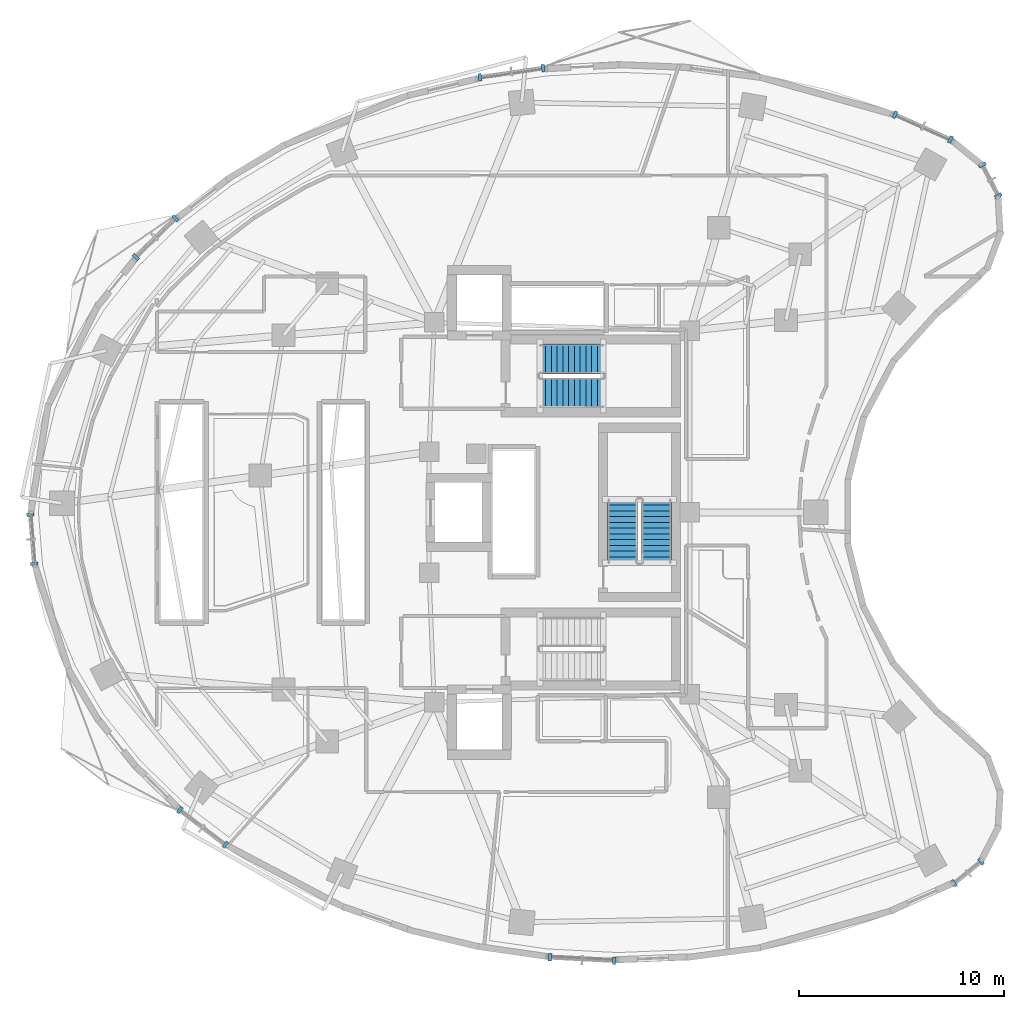
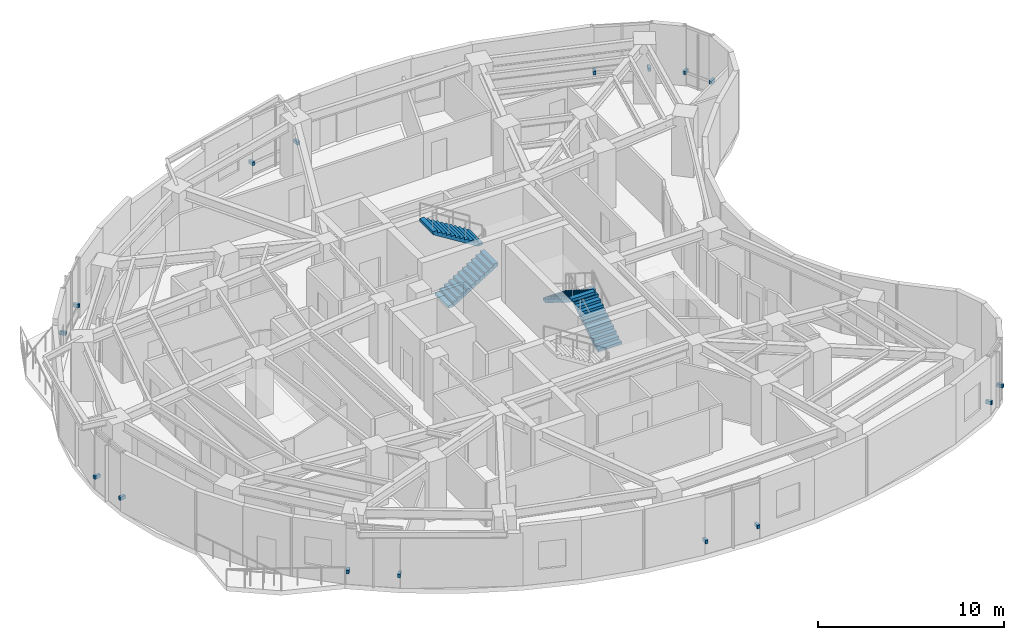
# One storey, part 12 of 15: 16 discrete accessories, 4 stair flights, 2 elements without a shape of their own.
"""IFC4 building model written with IfcOpenShell, lengths in metres."""

from ifc_helpers import new_model, si_unit, direction, frame, origin, origin_2d, place, context, subcontext, project, spatial, polyline, rectangle, outline, extrude, material, type_object, element, aggregate, save


model = new_model("IFC4")

# Units and contexts
model_context = context("Model", 3, precision=1e-05, world=origin(), true_north=direction((0.0, 1.0)))
body_context = subcontext(model_context, "Body", "Model", "MODEL_VIEW")
ifc_project = project(units=[si_unit("LENGTHUNIT", "METRE"), si_unit("AREAUNIT", "SQUARE_METRE"), si_unit("VOLUMEUNIT", "CUBIC_METRE"), si_unit("PLANEANGLEUNIT", "RADIAN"), si_unit("MASSUNIT", "GRAM", prefix="KILO")], contexts=[model_context])

# Site, building, storey
site_placement = place(None, origin())
site = spatial("IfcSite", under=ifc_project, at=site_placement, CompositionType="ELEMENT")
building_placement = place(site_placement, origin())
building = spatial("IfcBuilding", under=site, at=building_placement, Name="Korentha Bioscience Tower", CompositionType="ELEMENT")
storey_placement = place(building_placement, frame((0.0, 0.0, 98.39990234375)))
storey = spatial("IfcBuildingStorey", under=building, at=storey_placement, Name="L22", CompositionType="ELEMENT", Elevation=98.39990234375)

# Stair, stair flights
ifc_material_1 = material(Name="Precast Concrete C50", Category="concrete")
stair_type = type_object("IfcStairType", Name="Core Exit Dog-Leg Stair 1450", PredefinedType="HALF_TURN_STAIR", material=ifc_material_1)
stair_1_placement = place(storey_placement, origin())
stair_1 = element("IfcStair", 1, at=stair_1_placement, inside=storey, type_object=stair_type, Name="L22 Tower North Pressurized Exit Stair ST-1", PredefinedType="HALF_TURN_STAIR")
stair_flight_type = type_object("IfcStairFlightType", Name="Core Exit Dog-Leg Stair 1450 Flight", PredefinedType="STRAIGHT", material=ifc_material_1)
stair_flight_1_placement = place(storey_placement, frame((30.25, 32.824951171875, 0.0), z_axis=(0.0, 0.0, 1.0), x_axis=(1.0, 0.0, 0.0)))
stair_flight_1 = element("IfcStairFlight", 2, at=stair_flight_1_placement, type_object=stair_flight_type, Name="ST-1 flight 1", NumberOfRisers=12, NumberOfTreads=11, PredefinedType="STRAIGHT", RiserHeight=0.175, TreadLength=0.28, context=body_context, shape_type="SweptSolid", body=[
    extrude(outline(polyline([(0.0, 0.0), (0.0, 0.175048828125), (0.280029296875, 0.175048828125), (0.280029296875, 0.35009765625), (0.56005859375, 0.35009765625), (0.56005859375, 0.52490234375), (0.840087890625, 0.52490234375), (0.840087890625, 0.699951171875), (1.1201171875, 0.699951171875), (1.1201171875, 0.875), (1.39990234375, 0.875), (1.39990234375, 1.050048828125), (1.679931640625, 1.050048828125), (1.679931640625, 1.22509765625), (1.9599609375, 1.22509765625), (1.9599609375, 1.39990234375), (2.239990234375, 1.39990234375), (2.239990234375, 1.574951171875), (2.52001953125, 1.574951171875), (2.52001953125, 1.75), (2.800048828125, 1.75), (2.800048828125, 1.925048828125), (3.080078125, 1.925048828125), (3.080078125, 2.10009765625), (3.080078125, 1.736328125), (0.3017578125, 0.0), (0.0, 0.0)])), frame((0.0, 0.72509765625, 0.0), z_axis=(0.0, -1.0, 0.0), x_axis=(1.0, 0.0, 0.0)), (0.0, 0.0, 1.0), 1.449951171875),
])
stair_flight_2_placement = place(storey_placement, frame((33.330078125, 34.47509765625, 2.10009765625), z_axis=(0.0, 0.0, 1.0), x_axis=(-1.0, 0.0, 0.0)))
stair_flight_2 = element("IfcStairFlight", 3, at=stair_flight_2_placement, type_object=stair_flight_type, Name="ST-1 flight 2", NumberOfRisers=12, NumberOfTreads=11, PredefinedType="STRAIGHT", RiserHeight=0.175, TreadLength=0.28, context=body_context, shape_type="SweptSolid", body=[
    extrude(outline(polyline([(0.0, 0.0), (0.0, 0.175048828125), (0.280029296875, 0.175048828125), (0.280029296875, 0.35009765625), (0.56005859375, 0.35009765625), (0.56005859375, 0.52490234375), (0.840087890625, 0.52490234375), (0.840087890625, 0.699951171875), (1.1201171875, 0.699951171875), (1.1201171875, 0.875), (1.39990234375, 0.875), (1.39990234375, 1.050048828125), (1.679931640625, 1.050048828125), (1.679931640625, 1.22509765625), (1.9599609375, 1.22509765625), (1.9599609375, 1.39990234375), (2.239990234375, 1.39990234375), (2.239990234375, 1.574951171875), (2.52001953125, 1.574951171875), (2.52001953125, 1.75), (2.800048828125, 1.75), (2.800048828125, 1.925048828125), (3.080078125, 1.925048828125), (3.080078125, 2.10009765625), (3.080078125, 1.736328125), (0.3017578125, 0.0), (0.0, 0.0)])), frame((0.0, 0.72509765625, 0.0), z_axis=(0.0, -1.0, 0.0), x_axis=(1.0, 0.0, 0.0)), (0.0, 0.0, 1.0), 1.449951171875),
])
aggregate(stair_1, [stair_flight_1, stair_flight_2])

stair_2_placement = place(storey_placement, origin())
stair_2 = element("IfcStair", 4, at=stair_2_placement, inside=storey, type_object=stair_type, Name="L22 Tower Central Pressurized Exit Stair ST-3", PredefinedType="HALF_TURN_STAIR")
stair_flight_3_placement = place(storey_placement, frame((35.925048828125, 24.550048828125, 0.0), z_axis=(0.0, 0.0, 1.0), x_axis=(0.0, 1.0, 0.0)))
stair_flight_3 = element("IfcStairFlight", 5, at=stair_flight_3_placement, type_object=stair_flight_type, Name="ST-3 flight 1", NumberOfRisers=12, NumberOfTreads=11, PredefinedType="STRAIGHT", RiserHeight=0.175, TreadLength=0.28, context=body_context, shape_type="SweptSolid", body=[
    extrude(outline(polyline([(0.0, 0.0), (0.0, 0.175048828125), (0.280029296875, 0.175048828125), (0.280029296875, 0.35009765625), (0.56005859375, 0.35009765625), (0.56005859375, 0.52490234375), (0.840087890625, 0.52490234375), (0.840087890625, 0.699951171875), (1.1201171875, 0.699951171875), (1.1201171875, 0.875), (1.39990234375, 0.875), (1.39990234375, 1.050048828125), (1.679931640625, 1.050048828125), (1.679931640625, 1.22509765625), (1.9599609375, 1.22509765625), (1.9599609375, 1.39990234375), (2.239990234375, 1.39990234375), (2.239990234375, 1.574951171875), (2.52001953125, 1.574951171875), (2.52001953125, 1.75), (2.800048828125, 1.75), (2.800048828125, 1.925048828125), (3.080078125, 1.925048828125), (3.080078125, 2.10009765625), (3.080078125, 1.736328125), (0.3017578125, 0.0), (0.0, 0.0)])), frame((0.0, 0.72509765625, 0.0), z_axis=(0.0, -1.0, 0.0), x_axis=(1.0, 0.0, 0.0)), (0.0, 0.0, 1.0), 1.449951171875),
])
stair_flight_4_placement = place(storey_placement, frame((34.27490234375, 27.6298828125, 2.10009765625), z_axis=(0.0, 0.0, 1.0), x_axis=(0.0, -1.0, 0.0)))
stair_flight_4 = element("IfcStairFlight", 6, at=stair_flight_4_placement, type_object=stair_flight_type, Name="ST-3 flight 2", NumberOfRisers=12, NumberOfTreads=11, PredefinedType="STRAIGHT", RiserHeight=0.175, TreadLength=0.28, context=body_context, shape_type="SweptSolid", body=[
    extrude(outline(polyline([(0.0, 0.0), (0.0, 0.175048828125), (0.280029296875, 0.175048828125), (0.280029296875, 0.35009765625), (0.56005859375, 0.35009765625), (0.56005859375, 0.52490234375), (0.840087890625, 0.52490234375), (0.840087890625, 0.699951171875), (1.1201171875, 0.699951171875), (1.1201171875, 0.875), (1.39990234375, 0.875), (1.39990234375, 1.050048828125), (1.679931640625, 1.050048828125), (1.679931640625, 1.22509765625), (1.9599609375, 1.22509765625), (1.9599609375, 1.39990234375), (2.239990234375, 1.39990234375), (2.239990234375, 1.574951171875), (2.52001953125, 1.574951171875), (2.52001953125, 1.75), (2.800048828125, 1.75), (2.800048828125, 1.925048828125), (3.080078125, 1.925048828125), (3.080078125, 2.10009765625), (3.080078125, 1.736328125), (0.3017578125, 0.0), (0.0, 0.0)])), frame((0.0, 0.72509765625, 0.0), z_axis=(0.0, -1.0, 0.0), x_axis=(1.0, 0.0, 0.0)), (0.0, 0.0, 1.0), 1.449951171875),
])
aggregate(stair_2, [stair_flight_3, stair_flight_4])

# Discrete accessories
ifc_material_2 = material(Name="Stainless Steel 316", Category="steel")
discrete_accessory_type = type_object("IfcDiscreteAccessoryType", Name="Stainless Steel Solar-Screen Outrigger Bracket", PredefinedType="BRACKET", material=ifc_material_2)
for number, where, z_axis, x_axis, name in (
    (7, (50.241455078125, 45.161376953125, 0.740234375), (0.0, 0.0, 1.0), (-0.912686563127, 0.408660295952, 0.0), "CW-L22-01 Solar-Screen Support Bracket 1"),
    (8, (47.542236328125, 46.3701171875, 0.740234375), (0.0, 0.0, 1.0), (-0.912686563127, 0.408660295952, 0.0), "CW-L22-01 Solar-Screen Support Bracket 2"),
    (9, (30.40380859375, 48.635009765625, 0.740234375), (0.0, 0.0, 1.0), (-0.989738282326, -0.14289203091, 0.0), "CW-L22-07 Solar-Screen Support Bracket 1"),
    (10, (27.328369140625, 48.19091796875, 0.740234375), (0.0, 0.0, 1.0), (-0.989738282326, -0.14289203091, 0.0), "CW-L22-07 Solar-Screen Support Bracket 2"),
    (11, (12.496826171875, 41.316162109375, 0.740234375), (0.0, 0.0, 1.0), (-0.716095631804, -0.698002182025, 0.0), "CW-L22-13 Solar-Screen Support Bracket 1"),
    (12, (10.5673828125, 39.435302734375, 0.740234375), (0.0, 0.0, 1.0), (-0.716095631804, -0.698002182025, 0.0), "CW-L22-13 Solar-Screen Support Bracket 2"),
    (13, (5.433349609375, 26.885986328125, 0.740234375), (0.0, 0.0, 1.0), (0.079130214674, -0.996864288219, 0.0), "CW-L22-19 Solar-Screen Support Bracket 1"),
    (14, (5.622802734375, 24.4990234375, 0.740234375), (0.0, 0.0, 1.0), (0.079130214674, -0.996864288219, 0.0), "CW-L22-19 Solar-Screen Support Bracket 2"),
    (15, (12.708740234375, 12.501220703125, 0.740234375), (0.0, 0.0, 1.0), (0.794499603893, -0.607264669986, 0.0), "CW-L22-25 Solar-Screen Support Bracket 1"),
    (16, (14.920166015625, 10.810791015625, 0.740234375), (0.0, 0.0, 1.0), (0.794499603893, -0.607264669986, 0.0), "CW-L22-25 Solar-Screen Support Bracket 2"),
    (17, (30.737060546875, 5.33251953125, 0.740234375), (0.0, 0.0, 1.0), (0.998673231344, -0.051495407527, 0.0), "CW-L22-31 Solar-Screen Support Bracket 1"),
    (18, (33.860107421875, 5.17138671875, 0.740234375), (0.0, 0.0, 1.0), (0.998673231344, -0.051495407527, 0.0), "CW-L22-31 Solar-Screen Support Bracket 2"),
    (19, (50.423095703125, 8.93701171875, 0.740234375), (0.0, 0.0, 1.0), (0.777315301098, 0.629111216463, 0.0), "CW-L22-37 Solar-Screen Support Bracket 1"),
    (20, (51.734619140625, 9.998779296875, 0.740234375), (0.0, 0.0, 1.0), (0.777315301098, 0.629111216463, 0.0), "CW-L22-37 Solar-Screen Support Bracket 2"),
    (21, (52.571044921875, 42.42236328125, 0.740234375), (0.0, 0.0, 1.0), (-0.457613117169, 0.889151412862, 0.0), "CW-L22-61 Solar-Screen Support Bracket 1"),
    (22, (51.798828125, 43.922607421875, 0.740234375), (0.0, 0.0, 1.0), (-0.457613117169, 0.889151412862, 0.0), "CW-L22-61 Solar-Screen Support Bracket 2"),
):
    element("IfcDiscreteAccessory", number, at=place(storey_placement, frame(where, z_axis=z_axis, x_axis=x_axis)), inside=storey, type_object=discrete_accessory_type, Name=name, PredefinedType="BRACKET", context=body_context, shape_type="SweptSolid", body=[
        extrude(rectangle(XDim=0.159912109375, YDim=0.360107421875, at=origin_2d()), origin(), (0.0, 0.0, 1.0), 0.219970703125),
    ])

save(model, "model.ifc")
